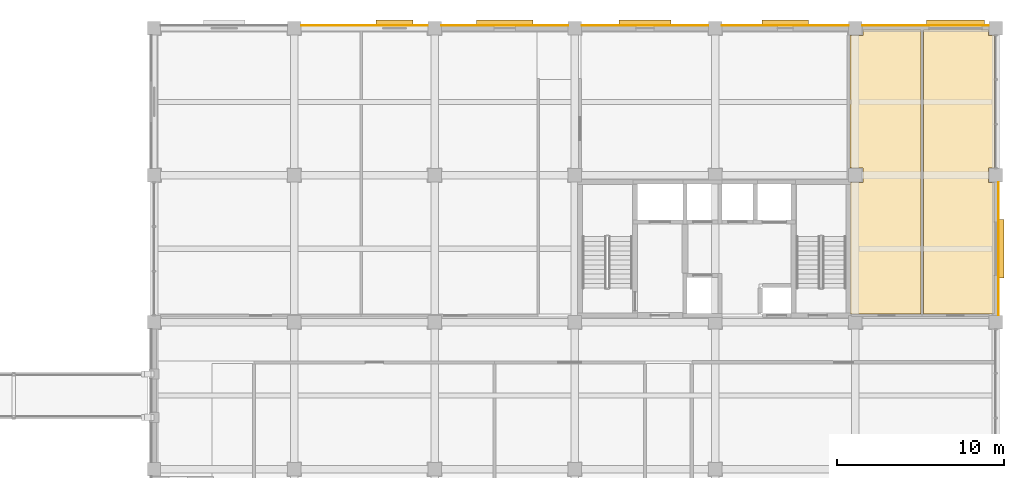
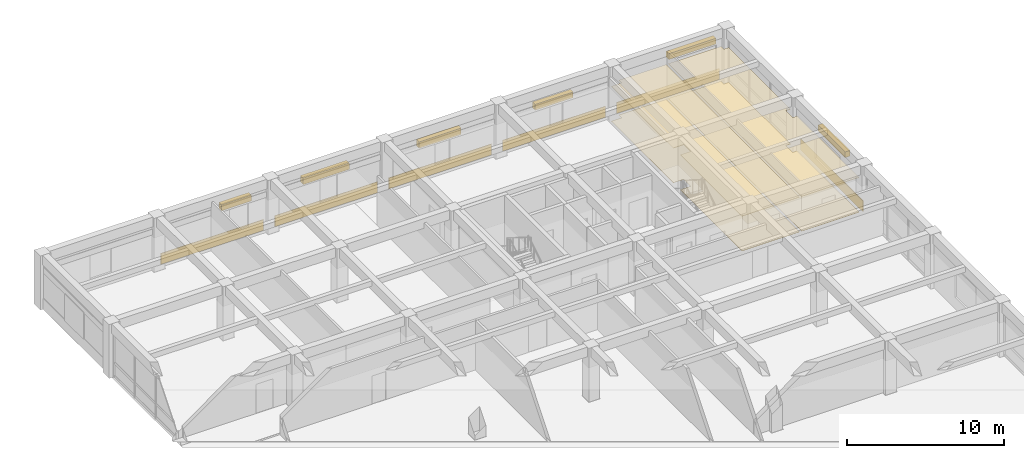
# One storey, part 57 of 57: 10 coverings, 6 shading devices.
"""IFC4 building model written with IfcOpenShell, lengths in metres."""

from ifc_helpers import new_model, si_unit, direction, frame, origin, origin_2d, place, context, subcontext, project, spatial, polyline, rectangle, outline, extrude, material, layer, layer_set, type_object, element, save


model = new_model("IFC4")

# Units and contexts
model_context = context("Model", 3, precision=1e-05, world=origin(), true_north=direction((0.0, 1.0)))
body_context = subcontext(model_context, "Body", "Model", "MODEL_VIEW")
ifc_project = project(units=[si_unit("LENGTHUNIT", "METRE"), si_unit("AREAUNIT", "SQUARE_METRE"), si_unit("VOLUMEUNIT", "CUBIC_METRE"), si_unit("PLANEANGLEUNIT", "RADIAN"), si_unit("MASSUNIT", "GRAM", prefix="KILO")], contexts=[model_context])

# Site, building, storey
site_placement = place(None, origin())
site = spatial("IfcSite", under=ifc_project, at=site_placement, CompositionType="ELEMENT")
building_placement = place(site_placement, origin())
building = spatial("IfcBuilding", under=site, at=building_placement, Name="Kemercrest Conservatory and Botanical Centre", CompositionType="ELEMENT")
storey_placement = place(building_placement, frame((0.0, 0.0, 4.800048828125)))
storey = spatial("IfcBuildingStorey", under=building, at=storey_placement, Name="L01", CompositionType="ELEMENT", Elevation=4.800048828125)

# Coverings
ifc_material_1 = material(Name="Honed limestone almasik ashlar rainscreen", Category="masonry")
ifc_layer_1 = layer(ifc_material_1, 0.0400390625)
ifc_layer_set_1 = layer_set([ifc_layer_1], Name="Honed limestone almasik ashlar rainscreen")
covering_type_1 = type_object("IfcCoveringType", Name="CV-CLD040", PredefinedType="CLADDING", material=ifc_layer_set_1)
covering_1_placement = place(storey_placement, origin())
element("IfcCovering", 1, at=covering_1_placement, inside=storey, type_object=covering_type_1, Name="Exterior stone spandrel cladding (WAL:L01:EXT-180)", PredefinedType="CLADDING", context=body_context, shape_type="SweptSolid", body=[
    extrude(outline(polyline([(176.14990234375, 105.2099609375), (176.18994140625, 105.2099609375), (176.18994140625, 113.18994140625), (176.14990234375, 113.18994140625), (176.14990234375, 105.2099609375)])), origin(), (0.0, 0.0, 1.0), 0.849853515625),
])
covering_2_placement = place(storey_placement, origin())
element("IfcCovering", 2, at=covering_2_placement, inside=storey, type_object=covering_type_1, Name="Exterior stone spandrel cladding (WAL:L01:EXT-181)", PredefinedType="CLADDING", context=body_context, shape_type="SweptSolid", body=[
    extrude(outline(polyline([(175.590087890625, 122.550048828125), (175.590087890625, 122.590087890625), (168.010009765625, 122.590087890625), (168.010009765625, 122.550048828125), (175.590087890625, 122.550048828125)])), origin(), (0.0, 0.0, 1.0), 0.849853515625),
])
covering_3_placement = place(storey_placement, origin())
element("IfcCovering", 3, at=covering_3_placement, inside=storey, type_object=covering_type_1, Name="Exterior stone spandrel cladding (WAL:L01:EXT-182)", PredefinedType="CLADDING", context=body_context, shape_type="SweptSolid", body=[
    extrude(outline(polyline([(167.18994140625, 122.550048828125), (167.18994140625, 122.590087890625), (159.610107421875, 122.590087890625), (159.610107421875, 122.550048828125), (167.18994140625, 122.550048828125)])), origin(), (0.0, 0.0, 1.0), 0.849853515625),
])
covering_4_placement = place(storey_placement, origin())
element("IfcCovering", 4, at=covering_4_placement, inside=storey, type_object=covering_type_1, Name="Exterior stone spandrel cladding (WAL:L01:EXT-183)", PredefinedType="CLADDING", context=body_context, shape_type="SweptSolid", body=[
    extrude(outline(polyline([(158.7900390625, 122.550048828125), (158.7900390625, 122.590087890625), (151.2099609375, 122.590087890625), (151.2099609375, 122.550048828125), (158.7900390625, 122.550048828125)])), origin(), (0.0, 0.0, 1.0), 0.849853515625),
])
covering_5_placement = place(storey_placement, origin())
element("IfcCovering", 5, at=covering_5_placement, inside=storey, type_object=covering_type_1, Name="Exterior stone spandrel cladding (WAL:L01:EXT-184)", PredefinedType="CLADDING", context=body_context, shape_type="SweptSolid", body=[
    extrude(outline(polyline([(150.389892578125, 122.550048828125), (150.389892578125, 122.590087890625), (142.81005859375, 122.590087890625), (142.81005859375, 122.550048828125), (150.389892578125, 122.550048828125)])), origin(), (0.0, 0.0, 1.0), 0.849853515625),
])
covering_6_placement = place(storey_placement, origin())
element("IfcCovering", 6, at=covering_6_placement, inside=storey, type_object=covering_type_1, Name="Exterior stone spandrel cladding (WAL:L01:EXT-185)", PredefinedType="CLADDING", context=body_context, shape_type="SweptSolid", body=[
    extrude(outline(polyline([(141.989990234375, 122.550048828125), (141.989990234375, 122.590087890625), (134.409912109375, 122.590087890625), (134.409912109375, 122.550048828125), (141.989990234375, 122.550048828125)])), origin(), (0.0, 0.0, 1.0), 0.849853515625),
])
ifc_material_2 = material(Name="Perforated acoustic gypsum and mineral-fibre suspended ceiling", Category="gypsum")
ifc_layer_2 = layer(ifc_material_2, 0.034912109375)
ifc_layer_set_2 = layer_set([ifc_layer_2], Name="Perforated acoustic gypsum and mineral-fibre suspended ceiling")
covering_type_2 = type_object("IfcCoveringType", Name="CV-CLG035", PredefinedType="CEILING", material=ifc_layer_set_2)
covering_7_placement = place(storey_placement, frame((0.0, 0.0, 2.699951171875)))
element("IfcCovering", 7, at=covering_7_placement, inside=storey, type_object=covering_type_2, Name="Public Washroom suspended acoustic ceiling", PredefinedType="CEILING", context=body_context, shape_type="SweptSolid", body=[
    extrude(outline(polyline([(167.280029296875, 105.280029296875), (171.52001953125, 105.280029296875), (171.52001953125, 122.320068359375), (168.0400390625, 122.320068359375), (168.0400390625, 121.9599609375), (167.280029296875, 121.9599609375), (167.280029296875, 114.0400390625), (168.0400390625, 114.0400390625), (168.0400390625, 113.159912109375), (167.280029296875, 113.159912109375), (167.280029296875, 105.280029296875)])), origin(), (0.0, 0.0, 1.0), 0.034912109375),
])
covering_8_placement = place(storey_placement, frame((0.0, 0.0, 2.699951171875)))
element("IfcCovering", 8, at=covering_8_placement, inside=storey, type_object=covering_type_2, Name="Accessible Washroom suspended acoustic ceiling", PredefinedType="CEILING", context=body_context, shape_type="SweptSolid", body=[
    extrude(outline(polyline([(171.679931640625, 105.280029296875), (175.919921875, 105.280029296875), (175.919921875, 113.159912109375), (175.56005859375, 113.159912109375), (175.56005859375, 114.0400390625), (175.919921875, 114.0400390625), (175.919921875, 121.9599609375), (175.56005859375, 121.9599609375), (175.56005859375, 122.320068359375), (171.679931640625, 122.320068359375), (171.679931640625, 105.280029296875)])), origin(), (0.0, 0.0, 1.0), 0.034912109375),
])
ifc_material_3 = material(Name="Polished limestone terrazzo and seamless laboratory epoxy flooring", Category="masonry")
ifc_layer_3 = layer(ifc_material_3, 0.02001953125)
ifc_layer_set_3 = layer_set([ifc_layer_3], Name="Polished limestone terrazzo and seamless laboratory epoxy flooring")
covering_type_3 = type_object("IfcCoveringType", Name="CV-FLR020", PredefinedType="FLOORING", material=ifc_layer_set_3)
covering_9_placement = place(storey_placement, origin())
element("IfcCovering", 9, at=covering_9_placement, inside=storey, type_object=covering_type_3, Name="Public Washroom floor finish", PredefinedType="FLOORING", context=body_context, shape_type="SweptSolid", body=[
    extrude(outline(polyline([(167.280029296875, 105.280029296875), (171.52001953125, 105.280029296875), (171.52001953125, 122.320068359375), (168.0400390625, 122.320068359375), (168.0400390625, 121.9599609375), (167.280029296875, 121.9599609375), (167.280029296875, 114.0400390625), (168.0400390625, 114.0400390625), (168.0400390625, 113.159912109375), (167.280029296875, 113.159912109375), (167.280029296875, 105.280029296875)])), origin(), (0.0, 0.0, 1.0), 0.02001953125),
])
covering_10_placement = place(storey_placement, origin())
element("IfcCovering", 10, at=covering_10_placement, inside=storey, type_object=covering_type_3, Name="Accessible Washroom floor finish", PredefinedType="FLOORING", context=body_context, shape_type="SweptSolid", body=[
    extrude(outline(polyline([(171.679931640625, 105.280029296875), (175.919921875, 105.280029296875), (175.919921875, 113.159912109375), (175.56005859375, 113.159912109375), (175.56005859375, 114.0400390625), (175.919921875, 114.0400390625), (175.919921875, 121.9599609375), (175.56005859375, 121.9599609375), (175.56005859375, 122.320068359375), (171.679931640625, 122.320068359375), (171.679931640625, 105.280029296875)])), origin(), (0.0, 0.0, 1.0), 0.02001953125),
])

# Shading devices
ifc_material_4 = material(Name="Architectural bronze-anodized extruded aluminium", Category="aluminium")
shading_device_type_1 = type_object("IfcShadingDeviceType", Name="SH-JL01", PredefinedType="JALOUSIE", material=ifc_material_4)
shading_device_1_placement = place(storey_placement, frame((176.322998046875, 109.199951171875, 2.85498046875), z_axis=(0.0, 0.0, 1.0), x_axis=(0.0, 1.0, 0.0)))
element("IfcShadingDevice", 11, at=shading_device_1_placement, inside=storey, type_object=shading_device_type_1, Name="Solar control louvre visor SH-JL01 (WIN:L01:EXT-180)", PredefinedType="JALOUSIE", context=body_context, shape_type="SweptSolid", body=[
    extrude(rectangle(XDim=3.47998046875, YDim=0.35009765625, at=origin_2d()), origin(), (0.0, 0.0, 1.0), 0.449951171875),
])
shading_device_2_placement = place(storey_placement, frame((139.9951171875, 122.722900390625, 2.61474609375), z_axis=(0.0, 0.0, 1.0), x_axis=(-1.0, 0.0, 0.0)))
element("IfcShadingDevice", 12, at=shading_device_2_placement, inside=storey, type_object=shading_device_type_1, Name="Solar control louvre visor SH-JL01 (WIN:L01:EXT-185)", PredefinedType="JALOUSIE", context=body_context, shape_type="SweptSolid", body=[
    extrude(rectangle(XDim=2.199951171875, YDim=0.35009765625, at=origin_2d()), origin(), (0.0, 0.0, 1.0), 0.449951171875),
])
shading_device_type_2 = type_object("IfcShadingDeviceType", Name="SH-JL02", PredefinedType="JALOUSIE", material=ifc_material_4)
shading_device_3_placement = place(storey_placement, frame((173.594970703125, 122.722900390625, 2.85498046875), z_axis=(0.0, 0.0, 1.0), x_axis=(-1.0, 0.0, 0.0)))
element("IfcShadingDevice", 13, at=shading_device_3_placement, inside=storey, type_object=shading_device_type_2, Name="Solar control louvre visor SH-JL02 (WIN:L01:EXT-181)", PredefinedType="JALOUSIE", context=body_context, shape_type="SweptSolid", body=[
    extrude(rectangle(XDim=3.47998046875, YDim=0.35009765625, at=origin_2d()), origin(), (0.0, 0.0, 1.0), 0.449951171875),
])
shading_device_type_3 = type_object("IfcShadingDeviceType", Name="SH-JL03", PredefinedType="JALOUSIE", material=ifc_material_4)
shading_device_4_placement = place(storey_placement, frame((163.39990234375, 122.722900390625, 2.35498046875), z_axis=(0.0, 0.0, 1.0), x_axis=(-1.0, 0.0, 0.0)))
element("IfcShadingDevice", 14, at=shading_device_4_placement, inside=storey, type_object=shading_device_type_3, Name="Solar control louvre visor SH-JL03 (WIN:L01:EXT-182)", PredefinedType="JALOUSIE", context=body_context, shape_type="SweptSolid", body=[
    extrude(rectangle(XDim=2.800048828125, YDim=0.35009765625, at=origin_2d()), origin(), (0.0, 0.0, 1.0), 0.449951171875),
])
shading_device_type_4 = type_object("IfcShadingDeviceType", Name="SH-JL04", PredefinedType="JALOUSIE", material=ifc_material_4)
shading_device_5_placement = place(storey_placement, frame((155.0, 122.722900390625, 2.3798828125), z_axis=(0.0, 0.0, 1.0), x_axis=(-1.0, 0.0, 0.0)))
element("IfcShadingDevice", 15, at=shading_device_5_placement, inside=storey, type_object=shading_device_type_4, Name="Solar control louvre visor SH-JL04 (WIN:L01:EXT-183)", PredefinedType="JALOUSIE", context=body_context, shape_type="SweptSolid", body=[
    extrude(rectangle(XDim=3.10009765625, YDim=0.35009765625, at=origin_2d()), origin(), (0.0, 0.0, 1.0), 0.5),
])
shading_device_type_5 = type_object("IfcShadingDeviceType", Name="SH-JL05", PredefinedType="JALOUSIE", material=ifc_material_4)
shading_device_6_placement = place(storey_placement, frame((146.60009765625, 122.722900390625, 2.550048828125), z_axis=(0.0, 0.0, 1.0), x_axis=(-1.0, 0.0, 0.0)))
element("IfcShadingDevice", 16, at=shading_device_6_placement, inside=storey, type_object=shading_device_type_5, Name="Solar control louvre visor SH-JL05 (WIN:L01:EXT-184)", PredefinedType="JALOUSIE", context=body_context, shape_type="SweptSolid", body=[
    extrude(rectangle(XDim=3.39990234375, YDim=0.35009765625, at=origin_2d()), origin(), (0.0, 0.0, 1.0), 0.5),
])

save(model, "model.ifc")
